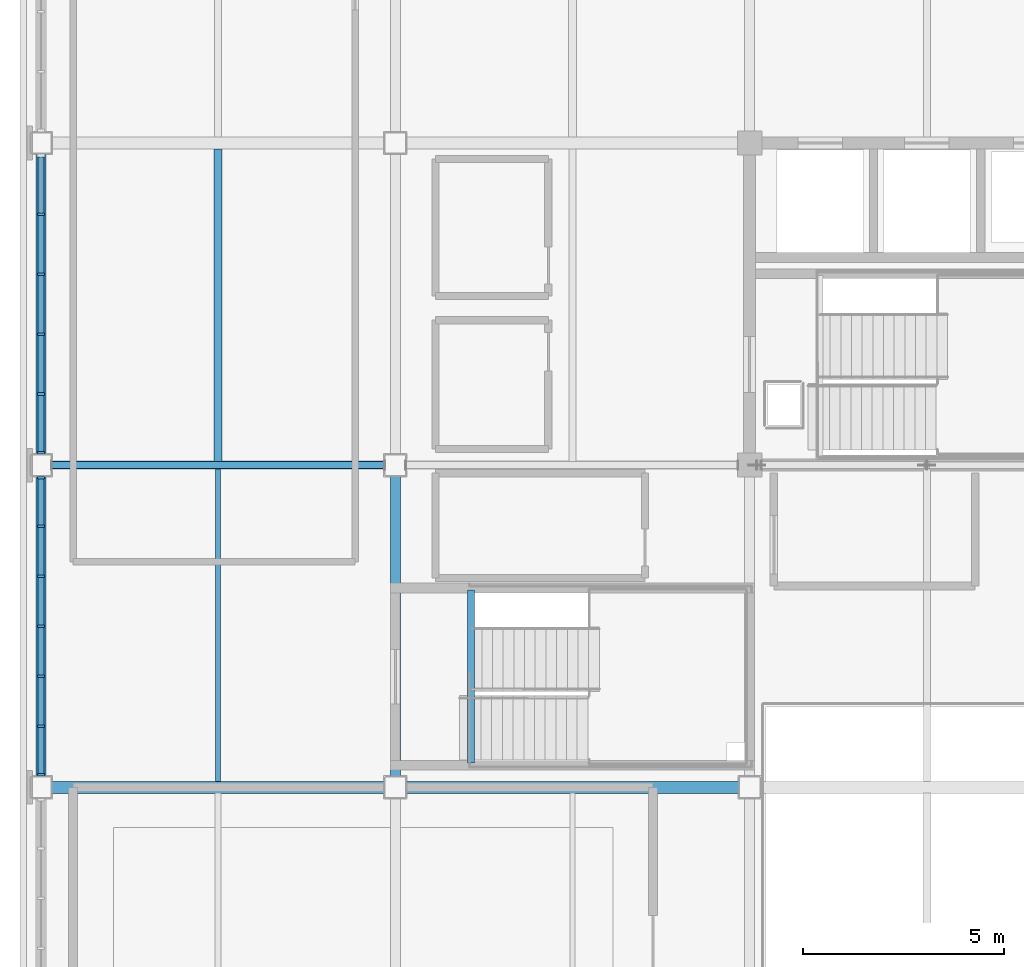
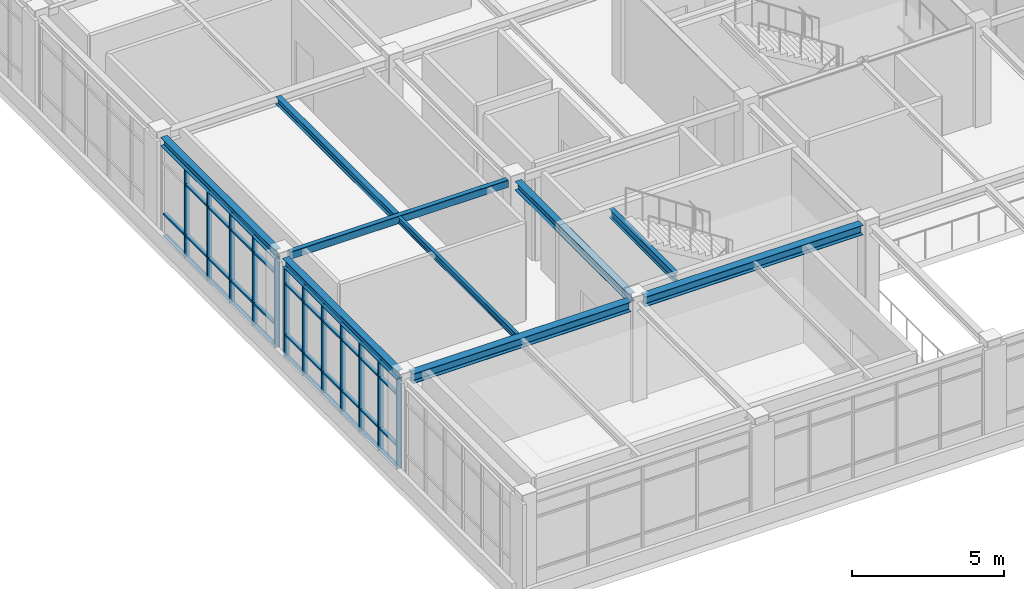
# One storey, part 17 of 88: 54 members, 9 beams, 2 elements without a shape of their own.
"""IFC4 building model written with IfcOpenShell, lengths in metres."""

from ifc_helpers import new_model, si_unit, direction, frame, origin, origin_2d, place, context, subcontext, project, spatial, rectangle, hollow_rectangle, i_section, extrude, material, material_profile, profile_set, type_object, element, aggregate, save


model = new_model("IFC4")

# Units and contexts
model_context = context("Model", 3, precision=1e-05, world=origin(), true_north=direction((0.0, 1.0)))
body_context = subcontext(model_context, "Body", "Model", "MODEL_VIEW")
ifc_project = project(units=[si_unit("LENGTHUNIT", "METRE"), si_unit("AREAUNIT", "SQUARE_METRE"), si_unit("VOLUMEUNIT", "CUBIC_METRE"), si_unit("PLANEANGLEUNIT", "RADIAN"), si_unit("MASSUNIT", "GRAM", prefix="KILO")], contexts=[model_context])

# Site, building, storey
site_placement = place(None, origin())
site = spatial("IfcSite", under=ifc_project, at=site_placement, CompositionType="ELEMENT")
building_placement = place(site_placement, origin())
building = spatial("IfcBuilding", under=site, at=building_placement, Name="Zhaolan Boulevard Law Courts", CompositionType="ELEMENT")
storey_placement = place(building_placement, frame((0.0, 0.0, 16.199951171875)))
storey = spatial("IfcBuildingStorey", under=building, at=storey_placement, Name="L03", CompositionType="ELEMENT", Elevation=16.199951171875)

# Curtain wall, members
ifc_material_1 = material(Name="Thermally broken aluminium and low-E glazing", Category="aluminium")
curtain_wall_type_1 = type_object("IfcCurtainWallType", Name="CURTAIN WALL M6", PredefinedType="USERDEFINED", material=ifc_material_1)
curtain_wall_1_placement = place(storey_placement, origin())
curtain_wall_1 = element("IfcCurtainWall", 1, at=curtain_wall_1_placement, inside=storey, type_object=curtain_wall_type_1, Name="Curtain Wall CW-L03-174", ObjectType="CURTAIN WALL", PredefinedType="USERDEFINED")
ifc_material_2 = material(Name="Fluorocarbon-coated aluminium 6063-T6", Category="aluminium")
ifc_material_profile_1 = material_profile(ifc_material_2, rectangle(XDim=0.179931640625, YDim=0.06494140625, at=origin_2d()), Name="AL65x180")
ifc_profile_set_1 = profile_set([ifc_material_profile_1], Name="Fluorocarbon-coated aluminium 6063-T6")
member_type_1 = type_object("IfcMemberType", Name="CWMULLION 65X180", PredefinedType="MULLION", material=ifc_profile_set_1)
member_1_placement = place(storey_placement, frame((0.0, 45.6904296875, 0.0), z_axis=(0.0, 0.0, 1.0), x_axis=(1.0, 0.0, 0.0)))
member_1 = element("IfcMember", 2, at=member_1_placement, type_object=member_type_1, Name="CW-L03-174 mullion 1", PredefinedType="MULLION", context=body_context, shape_type="SweptSolid", body=[
    extrude(rectangle(XDim=0.179931640625, YDim=0.06494140625, at=origin_2d()), origin(), (0.0, 0.0, 1.0), 3.593017578125),
])
member_2_placement = place(storey_placement, frame((0.0, 44.48193359375, 0.0), z_axis=(0.0, 0.0, 1.0), x_axis=(1.0, 0.0, 0.0)))
member_2 = element("IfcMember", 3, at=member_2_placement, type_object=member_type_1, Name="CW-L03-174 mullion 2", PredefinedType="MULLION", context=body_context, shape_type="SweptSolid", body=[
    extrude(rectangle(XDim=0.179931640625, YDim=0.06494140625, at=origin_2d()), origin(), (0.0, 0.0, 1.0), 3.593017578125),
])
member_3_placement = place(storey_placement, frame((0.0, 43.240966796875, 0.0), z_axis=(0.0, 0.0, 1.0), x_axis=(1.0, 0.0, 0.0)))
member_3 = element("IfcMember", 4, at=member_3_placement, type_object=member_type_1, Name="CW-L03-174 mullion 3", PredefinedType="MULLION", context=body_context, shape_type="SweptSolid", body=[
    extrude(rectangle(XDim=0.179931640625, YDim=0.06494140625, at=origin_2d()), origin(), (0.0, 0.0, 1.0), 3.593017578125),
])
member_4_placement = place(storey_placement, frame((0.0, 42.0, 0.0), z_axis=(0.0, 0.0, 1.0), x_axis=(1.0, 0.0, 0.0)))
member_4 = element("IfcMember", 5, at=member_4_placement, type_object=member_type_1, Name="CW-L03-174 mullion 4", PredefinedType="MULLION", context=body_context, shape_type="SweptSolid", body=[
    extrude(rectangle(XDim=0.179931640625, YDim=0.06494140625, at=origin_2d()), origin(), (0.0, 0.0, 1.0), 3.593017578125),
])
member_5_placement = place(storey_placement, frame((0.0, 40.759033203125, 0.0), z_axis=(0.0, 0.0, 1.0), x_axis=(1.0, 0.0, 0.0)))
member_5 = element("IfcMember", 6, at=member_5_placement, type_object=member_type_1, Name="CW-L03-174 mullion 5", PredefinedType="MULLION", context=body_context, shape_type="SweptSolid", body=[
    extrude(rectangle(XDim=0.179931640625, YDim=0.06494140625, at=origin_2d()), origin(), (0.0, 0.0, 1.0), 3.593017578125),
])
member_6_placement = place(storey_placement, frame((0.0, 39.51806640625, 0.0), z_axis=(0.0, 0.0, 1.0), x_axis=(1.0, 0.0, 0.0)))
member_6 = element("IfcMember", 7, at=member_6_placement, type_object=member_type_1, Name="CW-L03-174 mullion 6", PredefinedType="MULLION", context=body_context, shape_type="SweptSolid", body=[
    extrude(rectangle(XDim=0.179931640625, YDim=0.06494140625, at=origin_2d()), origin(), (0.0, 0.0, 1.0), 3.593017578125),
])
member_7_placement = place(storey_placement, frame((0.0, 38.3095703125, 0.0), z_axis=(0.0, 0.0, 1.0), x_axis=(1.0, 0.0, 0.0)))
member_7 = element("IfcMember", 8, at=member_7_placement, type_object=member_type_1, Name="CW-L03-174 mullion 7", PredefinedType="MULLION", context=body_context, shape_type="SweptSolid", body=[
    extrude(rectangle(XDim=0.179931640625, YDim=0.06494140625, at=origin_2d()), origin(), (0.0, 0.0, 1.0), 3.593017578125),
])

ifc_material_3 = material(Name="Thermally broken aluminium and low-E glazing", Category="aluminium")
curtain_wall_type_2 = type_object("IfcCurtainWallType", Name="CURTAIN WALL M7", PredefinedType="USERDEFINED", material=ifc_material_3)
curtain_wall_2_placement = place(storey_placement, origin())
curtain_wall_2 = element("IfcCurtainWall", 9, at=curtain_wall_2_placement, inside=storey, type_object=curtain_wall_type_2, Name="Curtain Wall CW-L03-175", ObjectType="CURTAIN WALL", PredefinedType="USERDEFINED")
member_8_placement = place(storey_placement, frame((0.0, 52.23388671875, 0.0), z_axis=(0.0, 0.0, 1.0), x_axis=(1.0, 0.0, 0.0)))
member_8 = element("IfcMember", 10, at=member_8_placement, type_object=member_type_1, Name="CW-L03-175 mullion 2", PredefinedType="MULLION", context=body_context, shape_type="SweptSolid", body=[
    extrude(rectangle(XDim=0.179931640625, YDim=0.06494140625, at=origin_2d()), origin(), (0.0, 0.0, 1.0), 3.593017578125),
])
member_9_placement = place(storey_placement, frame((0.0, 50.74462890625, 0.0), z_axis=(0.0, 0.0, 1.0), x_axis=(1.0, 0.0, 0.0)))
member_9 = element("IfcMember", 11, at=member_9_placement, type_object=member_type_1, Name="CW-L03-175 mullion 3", PredefinedType="MULLION", context=body_context, shape_type="SweptSolid", body=[
    extrude(rectangle(XDim=0.179931640625, YDim=0.06494140625, at=origin_2d()), origin(), (0.0, 0.0, 1.0), 3.593017578125),
])
member_10_placement = place(storey_placement, frame((0.0, 49.25537109375, 0.0), z_axis=(0.0, 0.0, 1.0), x_axis=(1.0, 0.0, 0.0)))
member_10 = element("IfcMember", 12, at=member_10_placement, type_object=member_type_1, Name="CW-L03-175 mullion 4", PredefinedType="MULLION", context=body_context, shape_type="SweptSolid", body=[
    extrude(rectangle(XDim=0.179931640625, YDim=0.06494140625, at=origin_2d()), origin(), (0.0, 0.0, 1.0), 3.593017578125),
])
member_11_placement = place(storey_placement, frame((0.0, 47.76611328125, 0.0), z_axis=(0.0, 0.0, 1.0), x_axis=(1.0, 0.0, 0.0)))
member_11 = element("IfcMember", 13, at=member_11_placement, type_object=member_type_1, Name="CW-L03-175 mullion 5", PredefinedType="MULLION", context=body_context, shape_type="SweptSolid", body=[
    extrude(rectangle(XDim=0.179931640625, YDim=0.06494140625, at=origin_2d()), origin(), (0.0, 0.0, 1.0), 3.593017578125),
])
member_12_placement = place(storey_placement, frame((0.0, 46.3095703125, 0.0), z_axis=(0.0, 0.0, 1.0), x_axis=(1.0, 0.0, 0.0)))
member_12 = element("IfcMember", 14, at=member_12_placement, type_object=member_type_1, Name="CW-L03-175 mullion 6", PredefinedType="MULLION", context=body_context, shape_type="SweptSolid", body=[
    extrude(rectangle(XDim=0.179931640625, YDim=0.06494140625, at=origin_2d()), origin(), (0.0, 0.0, 1.0), 3.593017578125),
])

# Member
ifc_material_4 = material(Name="Fluorocarbon-coated aluminium 6063-T6", Category="aluminium")
ifc_material_profile_2 = material_profile(ifc_material_4, rectangle(XDim=0.139892578125, YDim=0.06494140625, at=origin_2d()), Name="AL65x140")
ifc_profile_set_2 = profile_set([ifc_material_profile_2], Name="Fluorocarbon-coated aluminium 6063-T6")
member_type_2 = type_object("IfcMemberType", Name="CWTRANSOM 65X140", PredefinedType="USERDEFINED", material=ifc_profile_set_2)
member_13_placement = place(storey_placement, frame((0.0, 45.657958984375, 0.032470703125), z_axis=(0.0, -1.0, 0.0), x_axis=(1.0, 0.0, 0.0)))
member_13 = element("IfcMember", 15, at=member_13_placement, type_object=member_type_2, Name="CW-L03-174 transom 1.1", ObjectType="TRANSOM", PredefinedType="USERDEFINED", context=body_context, shape_type="SweptSolid", body=[
    extrude(rectangle(XDim=0.139892578125, YDim=0.06494140625, at=origin_2d()), origin(), (0.0, 0.0, 1.0), 1.1435546875),
])

member_14_placement = place(storey_placement, frame((0.0, 45.657958984375, 0.900146484375), z_axis=(0.0, -1.0, 0.0), x_axis=(1.0, 0.0, 0.0)))
member_14 = element("IfcMember", 16, at=member_14_placement, type_object=member_type_2, Name="CW-L03-174 transom 1.2", ObjectType="TRANSOM", PredefinedType="USERDEFINED", context=body_context, shape_type="SweptSolid", body=[
    extrude(rectangle(XDim=0.139892578125, YDim=0.06494140625, at=origin_2d()), origin(), (0.0, 0.0, 1.0), 1.1435546875),
])

member_15_placement = place(storey_placement, frame((0.0, 45.657958984375, 2.943115234375), z_axis=(0.0, -1.0, 0.0), x_axis=(1.0, 0.0, 0.0)))
member_15 = element("IfcMember", 17, at=member_15_placement, type_object=member_type_2, Name="CW-L03-174 transom 1.3", ObjectType="TRANSOM", PredefinedType="USERDEFINED", context=body_context, shape_type="SweptSolid", body=[
    extrude(rectangle(XDim=0.139892578125, YDim=0.06494140625, at=origin_2d()), origin(), (0.0, 0.0, 1.0), 1.1435546875),
])

member_16_placement = place(storey_placement, frame((0.0, 45.657958984375, 3.560546875), z_axis=(0.0, -1.0, 0.0), x_axis=(1.0, 0.0, 0.0)))
member_16 = element("IfcMember", 18, at=member_16_placement, type_object=member_type_2, Name="CW-L03-174 transom 1.4", ObjectType="TRANSOM", PredefinedType="USERDEFINED", context=body_context, shape_type="SweptSolid", body=[
    extrude(rectangle(XDim=0.139892578125, YDim=0.06494140625, at=origin_2d()), origin(), (0.0, 0.0, 1.0), 1.1435546875),
])

member_17_placement = place(storey_placement, frame((0.0, 44.449462890625, 0.032470703125), z_axis=(0.0, -1.0, 0.0), x_axis=(1.0, 0.0, 0.0)))
member_17 = element("IfcMember", 19, at=member_17_placement, type_object=member_type_2, Name="CW-L03-174 transom 2.1", ObjectType="TRANSOM", PredefinedType="USERDEFINED", context=body_context, shape_type="SweptSolid", body=[
    extrude(rectangle(XDim=0.139892578125, YDim=0.06494140625, at=origin_2d()), origin(), (0.0, 0.0, 1.0), 1.176025390625),
])

member_18_placement = place(storey_placement, frame((0.0, 44.449462890625, 0.900146484375), z_axis=(0.0, -1.0, 0.0), x_axis=(1.0, 0.0, 0.0)))
member_18 = element("IfcMember", 20, at=member_18_placement, type_object=member_type_2, Name="CW-L03-174 transom 2.2", ObjectType="TRANSOM", PredefinedType="USERDEFINED", context=body_context, shape_type="SweptSolid", body=[
    extrude(rectangle(XDim=0.139892578125, YDim=0.06494140625, at=origin_2d()), origin(), (0.0, 0.0, 1.0), 1.176025390625),
])

member_19_placement = place(storey_placement, frame((0.0, 44.449462890625, 2.943115234375), z_axis=(0.0, -1.0, 0.0), x_axis=(1.0, 0.0, 0.0)))
member_19 = element("IfcMember", 21, at=member_19_placement, type_object=member_type_2, Name="CW-L03-174 transom 2.3", ObjectType="TRANSOM", PredefinedType="USERDEFINED", context=body_context, shape_type="SweptSolid", body=[
    extrude(rectangle(XDim=0.139892578125, YDim=0.06494140625, at=origin_2d()), origin(), (0.0, 0.0, 1.0), 1.176025390625),
])

member_20_placement = place(storey_placement, frame((0.0, 44.449462890625, 3.560546875), z_axis=(0.0, -1.0, 0.0), x_axis=(1.0, 0.0, 0.0)))
member_20 = element("IfcMember", 22, at=member_20_placement, type_object=member_type_2, Name="CW-L03-174 transom 2.4", ObjectType="TRANSOM", PredefinedType="USERDEFINED", context=body_context, shape_type="SweptSolid", body=[
    extrude(rectangle(XDim=0.139892578125, YDim=0.06494140625, at=origin_2d()), origin(), (0.0, 0.0, 1.0), 1.176025390625),
])

member_21_placement = place(storey_placement, frame((0.0, 43.20849609375, 0.032470703125), z_axis=(0.0, -1.0, 0.0), x_axis=(1.0, 0.0, 0.0)))
member_21 = element("IfcMember", 23, at=member_21_placement, type_object=member_type_2, Name="CW-L03-174 transom 3.1", ObjectType="TRANSOM", PredefinedType="USERDEFINED", context=body_context, shape_type="SweptSolid", body=[
    extrude(rectangle(XDim=0.139892578125, YDim=0.06494140625, at=origin_2d()), origin(), (0.0, 0.0, 1.0), 1.176025390625),
])

member_22_placement = place(storey_placement, frame((0.0, 43.20849609375, 0.900146484375), z_axis=(0.0, -1.0, 0.0), x_axis=(1.0, 0.0, 0.0)))
member_22 = element("IfcMember", 24, at=member_22_placement, type_object=member_type_2, Name="CW-L03-174 transom 3.2", ObjectType="TRANSOM", PredefinedType="USERDEFINED", context=body_context, shape_type="SweptSolid", body=[
    extrude(rectangle(XDim=0.139892578125, YDim=0.06494140625, at=origin_2d()), origin(), (0.0, 0.0, 1.0), 1.176025390625),
])

member_23_placement = place(storey_placement, frame((0.0, 43.20849609375, 2.943115234375), z_axis=(0.0, -1.0, 0.0), x_axis=(1.0, 0.0, 0.0)))
member_23 = element("IfcMember", 25, at=member_23_placement, type_object=member_type_2, Name="CW-L03-174 transom 3.3", ObjectType="TRANSOM", PredefinedType="USERDEFINED", context=body_context, shape_type="SweptSolid", body=[
    extrude(rectangle(XDim=0.139892578125, YDim=0.06494140625, at=origin_2d()), origin(), (0.0, 0.0, 1.0), 1.176025390625),
])

member_24_placement = place(storey_placement, frame((0.0, 43.20849609375, 3.560546875), z_axis=(0.0, -1.0, 0.0), x_axis=(1.0, 0.0, 0.0)))
member_24 = element("IfcMember", 26, at=member_24_placement, type_object=member_type_2, Name="CW-L03-174 transom 3.4", ObjectType="TRANSOM", PredefinedType="USERDEFINED", context=body_context, shape_type="SweptSolid", body=[
    extrude(rectangle(XDim=0.139892578125, YDim=0.06494140625, at=origin_2d()), origin(), (0.0, 0.0, 1.0), 1.176025390625),
])

member_25_placement = place(storey_placement, frame((0.0, 41.967529296875, 0.032470703125), z_axis=(0.0, -1.0, 0.0), x_axis=(1.0, 0.0, 0.0)))
member_25 = element("IfcMember", 27, at=member_25_placement, type_object=member_type_2, Name="CW-L03-174 transom 4.1", ObjectType="TRANSOM", PredefinedType="USERDEFINED", context=body_context, shape_type="SweptSolid", body=[
    extrude(rectangle(XDim=0.139892578125, YDim=0.06494140625, at=origin_2d()), origin(), (0.0, 0.0, 1.0), 1.176025390625),
])

member_26_placement = place(storey_placement, frame((0.0, 41.967529296875, 0.900146484375), z_axis=(0.0, -1.0, 0.0), x_axis=(1.0, 0.0, 0.0)))
member_26 = element("IfcMember", 28, at=member_26_placement, type_object=member_type_2, Name="CW-L03-174 transom 4.2", ObjectType="TRANSOM", PredefinedType="USERDEFINED", context=body_context, shape_type="SweptSolid", body=[
    extrude(rectangle(XDim=0.139892578125, YDim=0.06494140625, at=origin_2d()), origin(), (0.0, 0.0, 1.0), 1.176025390625),
])

member_27_placement = place(storey_placement, frame((0.0, 41.967529296875, 2.943115234375), z_axis=(0.0, -1.0, 0.0), x_axis=(1.0, 0.0, 0.0)))
member_27 = element("IfcMember", 29, at=member_27_placement, type_object=member_type_2, Name="CW-L03-174 transom 4.3", ObjectType="TRANSOM", PredefinedType="USERDEFINED", context=body_context, shape_type="SweptSolid", body=[
    extrude(rectangle(XDim=0.139892578125, YDim=0.06494140625, at=origin_2d()), origin(), (0.0, 0.0, 1.0), 1.176025390625),
])

member_28_placement = place(storey_placement, frame((0.0, 41.967529296875, 3.560546875), z_axis=(0.0, -1.0, 0.0), x_axis=(1.0, 0.0, 0.0)))
member_28 = element("IfcMember", 30, at=member_28_placement, type_object=member_type_2, Name="CW-L03-174 transom 4.4", ObjectType="TRANSOM", PredefinedType="USERDEFINED", context=body_context, shape_type="SweptSolid", body=[
    extrude(rectangle(XDim=0.139892578125, YDim=0.06494140625, at=origin_2d()), origin(), (0.0, 0.0, 1.0), 1.176025390625),
])

member_29_placement = place(storey_placement, frame((0.0, 40.7265625, 0.032470703125), z_axis=(0.0, -1.0, 0.0), x_axis=(1.0, 0.0, 0.0)))
member_29 = element("IfcMember", 31, at=member_29_placement, type_object=member_type_2, Name="CW-L03-174 transom 5.1", ObjectType="TRANSOM", PredefinedType="USERDEFINED", context=body_context, shape_type="SweptSolid", body=[
    extrude(rectangle(XDim=0.139892578125, YDim=0.06494140625, at=origin_2d()), origin(), (0.0, 0.0, 1.0), 1.176025390625),
])

member_30_placement = place(storey_placement, frame((0.0, 40.7265625, 0.900146484375), z_axis=(0.0, -1.0, 0.0), x_axis=(1.0, 0.0, 0.0)))
member_30 = element("IfcMember", 32, at=member_30_placement, type_object=member_type_2, Name="CW-L03-174 transom 5.2", ObjectType="TRANSOM", PredefinedType="USERDEFINED", context=body_context, shape_type="SweptSolid", body=[
    extrude(rectangle(XDim=0.139892578125, YDim=0.06494140625, at=origin_2d()), origin(), (0.0, 0.0, 1.0), 1.176025390625),
])

member_31_placement = place(storey_placement, frame((0.0, 40.7265625, 2.943115234375), z_axis=(0.0, -1.0, 0.0), x_axis=(1.0, 0.0, 0.0)))
member_31 = element("IfcMember", 33, at=member_31_placement, type_object=member_type_2, Name="CW-L03-174 transom 5.3", ObjectType="TRANSOM", PredefinedType="USERDEFINED", context=body_context, shape_type="SweptSolid", body=[
    extrude(rectangle(XDim=0.139892578125, YDim=0.06494140625, at=origin_2d()), origin(), (0.0, 0.0, 1.0), 1.176025390625),
])

member_32_placement = place(storey_placement, frame((0.0, 40.7265625, 3.560546875), z_axis=(0.0, -1.0, 0.0), x_axis=(1.0, 0.0, 0.0)))
member_32 = element("IfcMember", 34, at=member_32_placement, type_object=member_type_2, Name="CW-L03-174 transom 5.4", ObjectType="TRANSOM", PredefinedType="USERDEFINED", context=body_context, shape_type="SweptSolid", body=[
    extrude(rectangle(XDim=0.139892578125, YDim=0.06494140625, at=origin_2d()), origin(), (0.0, 0.0, 1.0), 1.176025390625),
])

member_33_placement = place(storey_placement, frame((0.0, 39.485595703125, 0.032470703125), z_axis=(0.0, -1.0, 0.0), x_axis=(1.0, 0.0, 0.0)))
member_33 = element("IfcMember", 35, at=member_33_placement, type_object=member_type_2, Name="CW-L03-174 transom 6.1", ObjectType="TRANSOM", PredefinedType="USERDEFINED", context=body_context, shape_type="SweptSolid", body=[
    extrude(rectangle(XDim=0.139892578125, YDim=0.06494140625, at=origin_2d()), origin(), (0.0, 0.0, 1.0), 1.1435546875),
])

member_34_placement = place(storey_placement, frame((0.0, 39.485595703125, 0.900146484375), z_axis=(0.0, -1.0, 0.0), x_axis=(1.0, 0.0, 0.0)))
member_34 = element("IfcMember", 36, at=member_34_placement, type_object=member_type_2, Name="CW-L03-174 transom 6.2", ObjectType="TRANSOM", PredefinedType="USERDEFINED", context=body_context, shape_type="SweptSolid", body=[
    extrude(rectangle(XDim=0.139892578125, YDim=0.06494140625, at=origin_2d()), origin(), (0.0, 0.0, 1.0), 1.1435546875),
])

member_35_placement = place(storey_placement, frame((0.0, 39.485595703125, 2.943115234375), z_axis=(0.0, -1.0, 0.0), x_axis=(1.0, 0.0, 0.0)))
member_35 = element("IfcMember", 37, at=member_35_placement, type_object=member_type_2, Name="CW-L03-174 transom 6.3", ObjectType="TRANSOM", PredefinedType="USERDEFINED", context=body_context, shape_type="SweptSolid", body=[
    extrude(rectangle(XDim=0.139892578125, YDim=0.06494140625, at=origin_2d()), origin(), (0.0, 0.0, 1.0), 1.1435546875),
])

member_36_placement = place(storey_placement, frame((0.0, 39.485595703125, 3.560546875), z_axis=(0.0, -1.0, 0.0), x_axis=(1.0, 0.0, 0.0)))
member_36 = element("IfcMember", 38, at=member_36_placement, type_object=member_type_2, Name="CW-L03-174 transom 6.4", ObjectType="TRANSOM", PredefinedType="USERDEFINED", context=body_context, shape_type="SweptSolid", body=[
    extrude(rectangle(XDim=0.139892578125, YDim=0.06494140625, at=origin_2d()), origin(), (0.0, 0.0, 1.0), 1.1435546875),
])

aggregate(curtain_wall_1, [member_1, member_2, member_3, member_4, member_5, member_6, member_7, member_13, member_14, member_15, member_16, member_17, member_18, member_19, member_20, member_21, member_22, member_23, member_24, member_25, member_26, member_27, member_28, member_29, member_30, member_31, member_32, member_33, member_34, member_35, member_36])

member_37_placement = place(storey_placement, frame((0.0, 53.657958984375, 0.032470703125), z_axis=(0.0, -1.0, 0.0), x_axis=(1.0, 0.0, 0.0)))
member_37 = element("IfcMember", 39, at=member_37_placement, type_object=member_type_2, Name="CW-L03-175 transom 1.1", ObjectType="TRANSOM", PredefinedType="USERDEFINED", context=body_context, shape_type="SweptSolid", body=[
    extrude(rectangle(XDim=0.139892578125, YDim=0.06494140625, at=origin_2d()), origin(), (0.0, 0.0, 1.0), 1.3916015625),
])

member_38_placement = place(storey_placement, frame((0.0, 53.657958984375, 0.900146484375), z_axis=(0.0, -1.0, 0.0), x_axis=(1.0, 0.0, 0.0)))
member_38 = element("IfcMember", 40, at=member_38_placement, type_object=member_type_2, Name="CW-L03-175 transom 1.2", ObjectType="TRANSOM", PredefinedType="USERDEFINED", context=body_context, shape_type="SweptSolid", body=[
    extrude(rectangle(XDim=0.139892578125, YDim=0.06494140625, at=origin_2d()), origin(), (0.0, 0.0, 1.0), 1.3916015625),
])

member_39_placement = place(storey_placement, frame((0.0, 52.201416015625, 0.032470703125), z_axis=(0.0, -1.0, 0.0), x_axis=(1.0, 0.0, 0.0)))
member_39 = element("IfcMember", 41, at=member_39_placement, type_object=member_type_2, Name="CW-L03-175 transom 2.1", ObjectType="TRANSOM", PredefinedType="USERDEFINED", context=body_context, shape_type="SweptSolid", body=[
    extrude(rectangle(XDim=0.139892578125, YDim=0.06494140625, at=origin_2d()), origin(), (0.0, 0.0, 1.0), 1.42431640625),
])

member_40_placement = place(storey_placement, frame((0.0, 52.201416015625, 0.900146484375), z_axis=(0.0, -1.0, 0.0), x_axis=(1.0, 0.0, 0.0)))
member_40 = element("IfcMember", 42, at=member_40_placement, type_object=member_type_2, Name="CW-L03-175 transom 2.2", ObjectType="TRANSOM", PredefinedType="USERDEFINED", context=body_context, shape_type="SweptSolid", body=[
    extrude(rectangle(XDim=0.139892578125, YDim=0.06494140625, at=origin_2d()), origin(), (0.0, 0.0, 1.0), 1.42431640625),
])

member_41_placement = place(storey_placement, frame((0.0, 52.201416015625, 2.943115234375), z_axis=(0.0, -1.0, 0.0), x_axis=(1.0, 0.0, 0.0)))
member_41 = element("IfcMember", 43, at=member_41_placement, type_object=member_type_2, Name="CW-L03-175 transom 2.3", ObjectType="TRANSOM", PredefinedType="USERDEFINED", context=body_context, shape_type="SweptSolid", body=[
    extrude(rectangle(XDim=0.139892578125, YDim=0.06494140625, at=origin_2d()), origin(), (0.0, 0.0, 1.0), 1.42431640625),
])

member_42_placement = place(storey_placement, frame((0.0, 52.201416015625, 3.560546875), z_axis=(0.0, -1.0, 0.0), x_axis=(1.0, 0.0, 0.0)))
member_42 = element("IfcMember", 44, at=member_42_placement, type_object=member_type_2, Name="CW-L03-175 transom 2.4", ObjectType="TRANSOM", PredefinedType="USERDEFINED", context=body_context, shape_type="SweptSolid", body=[
    extrude(rectangle(XDim=0.139892578125, YDim=0.06494140625, at=origin_2d()), origin(), (0.0, 0.0, 1.0), 1.42431640625),
])

member_43_placement = place(storey_placement, frame((0.0, 50.712158203125, 0.032470703125), z_axis=(0.0, -1.0, 0.0), x_axis=(1.0, 0.0, 0.0)))
member_43 = element("IfcMember", 45, at=member_43_placement, type_object=member_type_2, Name="CW-L03-175 transom 3.1", ObjectType="TRANSOM", PredefinedType="USERDEFINED", context=body_context, shape_type="SweptSolid", body=[
    extrude(rectangle(XDim=0.139892578125, YDim=0.06494140625, at=origin_2d()), origin(), (0.0, 0.0, 1.0), 1.42431640625),
])

member_44_placement = place(storey_placement, frame((0.0, 50.712158203125, 0.900146484375), z_axis=(0.0, -1.0, 0.0), x_axis=(1.0, 0.0, 0.0)))
member_44 = element("IfcMember", 46, at=member_44_placement, type_object=member_type_2, Name="CW-L03-175 transom 3.2", ObjectType="TRANSOM", PredefinedType="USERDEFINED", context=body_context, shape_type="SweptSolid", body=[
    extrude(rectangle(XDim=0.139892578125, YDim=0.06494140625, at=origin_2d()), origin(), (0.0, 0.0, 1.0), 1.42431640625),
])

member_45_placement = place(storey_placement, frame((0.0, 50.712158203125, 2.943115234375), z_axis=(0.0, -1.0, 0.0), x_axis=(1.0, 0.0, 0.0)))
member_45 = element("IfcMember", 47, at=member_45_placement, type_object=member_type_2, Name="CW-L03-175 transom 3.3", ObjectType="TRANSOM", PredefinedType="USERDEFINED", context=body_context, shape_type="SweptSolid", body=[
    extrude(rectangle(XDim=0.139892578125, YDim=0.06494140625, at=origin_2d()), origin(), (0.0, 0.0, 1.0), 1.42431640625),
])

member_46_placement = place(storey_placement, frame((0.0, 50.712158203125, 3.560546875), z_axis=(0.0, -1.0, 0.0), x_axis=(1.0, 0.0, 0.0)))
member_46 = element("IfcMember", 48, at=member_46_placement, type_object=member_type_2, Name="CW-L03-175 transom 3.4", ObjectType="TRANSOM", PredefinedType="USERDEFINED", context=body_context, shape_type="SweptSolid", body=[
    extrude(rectangle(XDim=0.139892578125, YDim=0.06494140625, at=origin_2d()), origin(), (0.0, 0.0, 1.0), 1.42431640625),
])

member_47_placement = place(storey_placement, frame((0.0, 49.222900390625, 0.032470703125), z_axis=(0.0, -1.0, 0.0), x_axis=(1.0, 0.0, 0.0)))
member_47 = element("IfcMember", 49, at=member_47_placement, type_object=member_type_2, Name="CW-L03-175 transom 4.1", ObjectType="TRANSOM", PredefinedType="USERDEFINED", context=body_context, shape_type="SweptSolid", body=[
    extrude(rectangle(XDim=0.139892578125, YDim=0.06494140625, at=origin_2d()), origin(), (0.0, 0.0, 1.0), 1.42431640625),
])

member_48_placement = place(storey_placement, frame((0.0, 49.222900390625, 0.900146484375), z_axis=(0.0, -1.0, 0.0), x_axis=(1.0, 0.0, 0.0)))
member_48 = element("IfcMember", 50, at=member_48_placement, type_object=member_type_2, Name="CW-L03-175 transom 4.2", ObjectType="TRANSOM", PredefinedType="USERDEFINED", context=body_context, shape_type="SweptSolid", body=[
    extrude(rectangle(XDim=0.139892578125, YDim=0.06494140625, at=origin_2d()), origin(), (0.0, 0.0, 1.0), 1.42431640625),
])

member_49_placement = place(storey_placement, frame((0.0, 49.222900390625, 2.943115234375), z_axis=(0.0, -1.0, 0.0), x_axis=(1.0, 0.0, 0.0)))
member_49 = element("IfcMember", 51, at=member_49_placement, type_object=member_type_2, Name="CW-L03-175 transom 4.3", ObjectType="TRANSOM", PredefinedType="USERDEFINED", context=body_context, shape_type="SweptSolid", body=[
    extrude(rectangle(XDim=0.139892578125, YDim=0.06494140625, at=origin_2d()), origin(), (0.0, 0.0, 1.0), 1.42431640625),
])

member_50_placement = place(storey_placement, frame((0.0, 49.222900390625, 3.560546875), z_axis=(0.0, -1.0, 0.0), x_axis=(1.0, 0.0, 0.0)))
member_50 = element("IfcMember", 52, at=member_50_placement, type_object=member_type_2, Name="CW-L03-175 transom 4.4", ObjectType="TRANSOM", PredefinedType="USERDEFINED", context=body_context, shape_type="SweptSolid", body=[
    extrude(rectangle(XDim=0.139892578125, YDim=0.06494140625, at=origin_2d()), origin(), (0.0, 0.0, 1.0), 1.42431640625),
])

member_51_placement = place(storey_placement, frame((0.0, 47.733642578125, 0.032470703125), z_axis=(0.0, -1.0, 0.0), x_axis=(1.0, 0.0, 0.0)))
member_51 = element("IfcMember", 53, at=member_51_placement, type_object=member_type_2, Name="CW-L03-175 transom 5.1", ObjectType="TRANSOM", PredefinedType="USERDEFINED", context=body_context, shape_type="SweptSolid", body=[
    extrude(rectangle(XDim=0.139892578125, YDim=0.06494140625, at=origin_2d()), origin(), (0.0, 0.0, 1.0), 1.3916015625),
])

member_52_placement = place(storey_placement, frame((0.0, 47.733642578125, 0.900146484375), z_axis=(0.0, -1.0, 0.0), x_axis=(1.0, 0.0, 0.0)))
member_52 = element("IfcMember", 54, at=member_52_placement, type_object=member_type_2, Name="CW-L03-175 transom 5.2", ObjectType="TRANSOM", PredefinedType="USERDEFINED", context=body_context, shape_type="SweptSolid", body=[
    extrude(rectangle(XDim=0.139892578125, YDim=0.06494140625, at=origin_2d()), origin(), (0.0, 0.0, 1.0), 1.3916015625),
])

member_53_placement = place(storey_placement, frame((0.0, 47.733642578125, 2.943115234375), z_axis=(0.0, -1.0, 0.0), x_axis=(1.0, 0.0, 0.0)))
member_53 = element("IfcMember", 55, at=member_53_placement, type_object=member_type_2, Name="CW-L03-175 transom 5.3", ObjectType="TRANSOM", PredefinedType="USERDEFINED", context=body_context, shape_type="SweptSolid", body=[
    extrude(rectangle(XDim=0.139892578125, YDim=0.06494140625, at=origin_2d()), origin(), (0.0, 0.0, 1.0), 1.3916015625),
])

member_54_placement = place(storey_placement, frame((0.0, 47.733642578125, 3.560546875), z_axis=(0.0, -1.0, 0.0), x_axis=(1.0, 0.0, 0.0)))
member_54 = element("IfcMember", 56, at=member_54_placement, type_object=member_type_2, Name="CW-L03-175 transom 5.4", ObjectType="TRANSOM", PredefinedType="USERDEFINED", context=body_context, shape_type="SweptSolid", body=[
    extrude(rectangle(XDim=0.139892578125, YDim=0.06494140625, at=origin_2d()), origin(), (0.0, 0.0, 1.0), 1.3916015625),
])

aggregate(curtain_wall_2, [member_8, member_9, member_10, member_11, member_12, member_37, member_38, member_39, member_40, member_41, member_42, member_43, member_44, member_45, member_46, member_47, member_48, member_49, member_50, member_51, member_52, member_53, member_54])

# Beams
ifc_material_5 = material(Name="Structural steel Q355B", Category="steel")
ifc_material_profile_3 = material_profile(ifc_material_5, i_section(OverallWidth=0.25, OverallDepth=0.340087890625, WebThickness=0.009033203125, FlangeThickness=0.013916015625, FilletRadius=0.01611328125, at=origin_2d()), Name="HM340x250")
ifc_profile_set_3 = profile_set([ifc_material_profile_3], Name="Structural steel Q355B")
beam_type_1 = type_object("IfcBeamType", Name="GIRDER HM340", PredefinedType="BEAM", material=ifc_profile_set_3)
for number, where, z_axis, x_axis, name in (
    (57, (0.0, 38.27099609375, 3.778076171875), (0.0, 1.0, 0.0), (-1.0, 0.0, 0.0), "Beam BY-L04-1-F-G"),
    (58, (0.0, 46.27099609375, 3.778076171875), (0.0, 1.0, 0.0), (-1.0, 0.0, 0.0), "Beam BY-L04-1-G-H"),
    (59, (8.800048828125, 38.27099609375, 3.778076171875), (0.0, 1.0, 0.0), (-1.0, 0.0, 0.0), "Beam BY-L04-2-F-G"),
):
    element("IfcBeam", number, at=place(storey_placement, frame(where, z_axis=z_axis, x_axis=x_axis)), inside=storey, type_object=beam_type_1, Name=name, PredefinedType="BEAM", context=body_context, shape_type="SweptSolid", body=[
        extrude(i_section(OverallWidth=0.25, OverallDepth=0.340087890625, WebThickness=0.009033203125, FlangeThickness=0.013916015625, FilletRadius=0.01611328125, at=origin_2d()), origin(), (0.0, 0.0, 1.0), 7.4580078125),
    ])
ifc_material_6 = material(Name="Structural steel Q355B", Category="steel")
ifc_material_profile_4 = material_profile(ifc_material_6, i_section(OverallWidth=0.300048828125, OverallDepth=0.389892578125, WebThickness=0.010009765625, FlangeThickness=0.01611328125, FilletRadius=0.01806640625, at=origin_2d()), Name="HM390x300")
ifc_profile_set_4 = profile_set([ifc_material_profile_4], Name="Structural steel Q355B")
beam_type_2 = type_object("IfcBeamType", Name="GIRDER HM390", PredefinedType="BEAM", material=ifc_profile_set_4)
for number, where, z_axis, x_axis, name in (
    (60, (0.27099609375, 38.0, 3.7529296875), (1.0, 0.0, 0.0), (0.0, 1.0, 0.0), "Beam BX-L04-1-2-F"),
    (61, (9.071044921875, 38.0, 3.7529296875), (1.0, 0.0, 0.0), (0.0, 1.0, 0.0), "Beam BX-L04-2-3-F"),
):
    element("IfcBeam", number, at=place(storey_placement, frame(where, z_axis=z_axis, x_axis=x_axis)), inside=storey, type_object=beam_type_2, Name=name, PredefinedType="BEAM", context=body_context, shape_type="SweptSolid", body=[
        extrude(i_section(OverallWidth=0.300048828125, OverallDepth=0.389892578125, WebThickness=0.010009765625, FlangeThickness=0.01611328125, FilletRadius=0.01806640625, at=origin_2d()), origin(), (0.0, 0.0, 1.0), 8.258056640625),
    ])
ifc_material_7 = material(Name="Structural steel Q355B", Category="steel")
ifc_material_profile_5 = material_profile(ifc_material_7, i_section(OverallWidth=0.199951171875, OverallDepth=0.2939453125, WebThickness=0.008056640625, FlangeThickness=0.011962890625, FilletRadius=0.01611328125, at=origin_2d()), Name="HM294x200")
ifc_profile_set_5 = profile_set([ifc_material_profile_5], Name="Structural steel Q355B")
beam_type_3 = type_object("IfcBeamType", Name="JOIST HM294", PredefinedType="JOIST", material=ifc_profile_set_5)
beam_1_placement = place(storey_placement, frame((4.39990234375, 46.095947265625, 3.801025390625), z_axis=(0.0, 1.0, 0.0), x_axis=(-1.0, 0.0, 0.0)))
element("IfcBeam", 62, at=beam_1_placement, inside=storey, type_object=beam_type_3, Name="Composite Joist J-L04-1G", PredefinedType="JOIST", context=body_context, shape_type="SweptSolid", body=[
    extrude(i_section(OverallWidth=0.199951171875, OverallDepth=0.2939453125, WebThickness=0.008056640625, FlangeThickness=0.011962890625, FilletRadius=0.01611328125, at=origin_2d()), origin(), (0.0, 0.0, 1.0), 7.758056640625),
])
ifc_material_8 = material(Name="Structural steel Q355B", Category="steel")
ifc_material_profile_6 = material_profile(ifc_material_8, i_section(OverallWidth=0.125, OverallDepth=0.25, WebThickness=0.006103515625, FlangeThickness=0.009033203125, FilletRadius=0.010009765625, at=origin_2d()), Name="HN250x125")
ifc_profile_set_6 = profile_set([ifc_material_profile_6], Name="Structural steel Q355B")
beam_type_4 = type_object("IfcBeamType", Name="JOIST HN250", PredefinedType="JOIST", material=ifc_profile_set_6)
beam_2_placement = place(storey_placement, frame((4.39990234375, 38.14599609375, 3.822998046875), z_axis=(0.0, 1.0, 0.0), x_axis=(-1.0, 0.0, 0.0)))
element("IfcBeam", 63, at=beam_2_placement, inside=storey, type_object=beam_type_4, Name="Composite Joist J-L04-1F", PredefinedType="JOIST", context=body_context, shape_type="SweptSolid", body=[
    extrude(i_section(OverallWidth=0.125, OverallDepth=0.25, WebThickness=0.006103515625, FlangeThickness=0.009033203125, FilletRadius=0.010009765625, at=origin_2d()), origin(), (0.0, 0.0, 1.0), 7.758056640625),
])
ifc_material_9 = material(Name="Structural steel Q355B", Category="steel")
ifc_material_profile_7 = material_profile(ifc_material_9, hollow_rectangle(XDim=0.199951171875, YDim=0.300048828125, WallThickness=0.011962890625, InnerFilletRadius=0.011962890625, OuterFilletRadius=0.02392578125, at=origin_2d()), Name="HSS300x200x12")
ifc_profile_set_7 = profile_set([ifc_material_profile_7], Name="Structural steel Q355B")
beam_type_5 = type_object("IfcBeamType", Name="SPANDREL HSS300", PredefinedType="SPANDREL", material=ifc_profile_set_7)
beam_3_placement = place(storey_placement, frame((0.27099609375, 46.0, 3.798095703125), z_axis=(1.0, 0.0, 0.0), x_axis=(0.0, 1.0, 0.0)))
element("IfcBeam", 64, at=beam_3_placement, inside=storey, type_object=beam_type_5, Name="Beam BX-L04-1-2-G", PredefinedType="SPANDREL", context=body_context, shape_type="SweptSolid", body=[
    extrude(hollow_rectangle(XDim=0.199951171875, YDim=0.300048828125, WallThickness=0.011962890625, InnerFilletRadius=0.011962890625, OuterFilletRadius=0.02392578125, at=origin_2d()), origin(), (0.0, 0.0, 1.0), 8.258056640625),
])
ifc_material_10 = material(Name="Structural steel Q355B", Category="steel")
ifc_material_profile_8 = material_profile(ifc_material_10, i_section(OverallWidth=0.175048828125, OverallDepth=0.35009765625, WebThickness=0.007080078125, FlangeThickness=0.010986328125, FilletRadius=0.012939453125, at=origin_2d()), Name="HN350x175")
ifc_profile_set_8 = profile_set([ifc_material_profile_8], Name="Structural steel Q355B")
beam_type_6 = type_object("IfcBeamType", Name="STAIR TRIMMER HN350", PredefinedType="BEAM", material=ifc_profile_set_8)
beam_4_placement = place(storey_placement, frame((10.68505859375, 38.60009765625, 3.735107421875), z_axis=(0.0, 1.0, 0.0), x_axis=(-1.0, 0.0, 0.0)))
element("IfcBeam", 65, at=beam_4_placement, inside=storey, type_object=beam_type_6, Name="Stair Landing Trimmer Beam STB-ST03-L04", PredefinedType="BEAM", context=body_context, shape_type="SweptSolid", body=[
    extrude(i_section(OverallWidth=0.175048828125, OverallDepth=0.35009765625, WebThickness=0.007080078125, FlangeThickness=0.010986328125, FilletRadius=0.012939453125, at=origin_2d()), origin(), (0.0, 0.0, 1.0), 4.2998046875),
])

save(model, "model.ifc")
